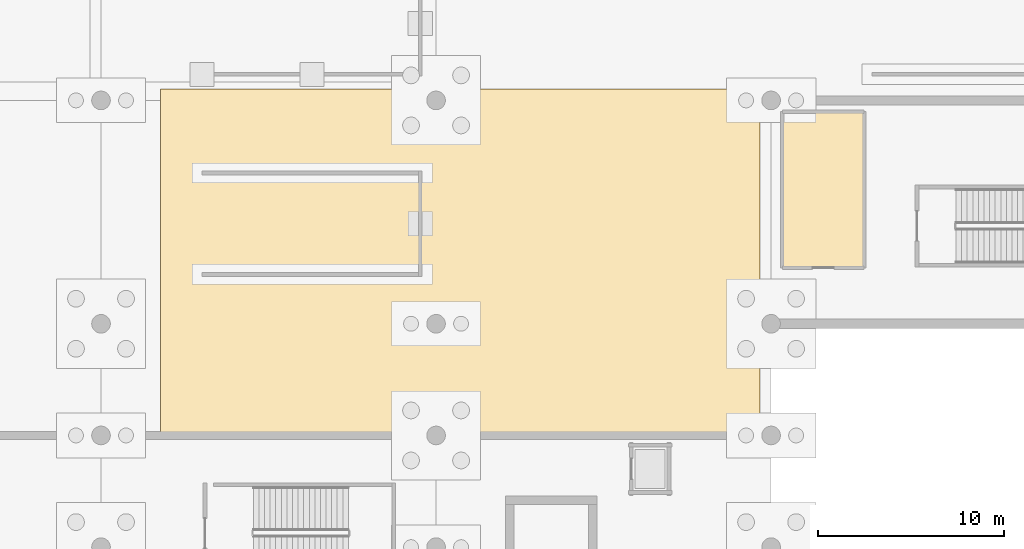
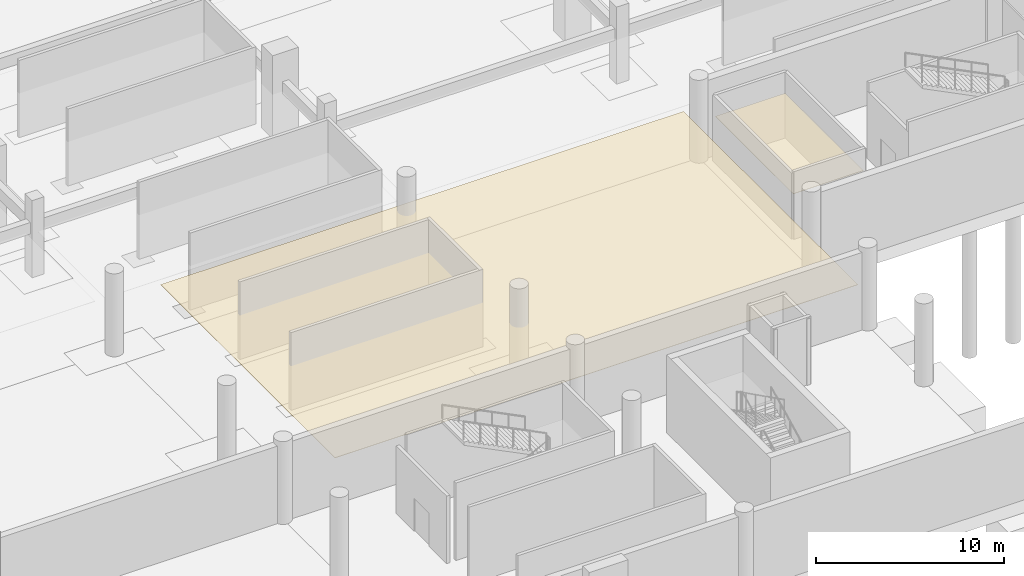
# One storey, part 19 of 26: 2 coverings.
"""IFC4 building model written with IfcOpenShell, lengths in metres."""

from ifc_helpers import new_model, si_unit, direction, frame, origin, place, context, subcontext, project, spatial, polyline, outline, extrude, material, layer, layer_set, type_object, element, save


model = new_model("IFC4")

# Units and contexts
model_context = context("Model", 3, precision=1e-05, world=origin(), true_north=direction((0.0, 1.0)))
body_context = subcontext(model_context, "Body", "Model", "MODEL_VIEW")
ifc_project = project(units=[si_unit("LENGTHUNIT", "METRE"), si_unit("AREAUNIT", "SQUARE_METRE"), si_unit("VOLUMEUNIT", "CUBIC_METRE"), si_unit("PLANEANGLEUNIT", "RADIAN"), si_unit("MASSUNIT", "GRAM", prefix="KILO")], contexts=[model_context])

# Site, building, storey
site_placement = place(None, origin())
site = spatial("IfcSite", under=ifc_project, at=site_placement, CompositionType="ELEMENT")
building_placement = place(site_placement, origin())
building = spatial("IfcBuilding", under=site, at=building_placement, Name="Chuanluo Vaults Station", CompositionType="ELEMENT")
storey_placement = place(building_placement, frame((0.0, 0.0, -5.39990234375)))
storey = spatial("IfcBuildingStorey", under=building, at=storey_placement, Name="B1", CompositionType="ELEMENT", Elevation=-5.39990234375)

# Coverings
ifc_material = material(Name="Acoustic mineral-fibre tile")
ifc_layer = layer(ifc_material, 0.02490234375)
ifc_layer_set = layer_set([ifc_layer], Name="Acoustic mineral-fibre tile")
covering_type = type_object("IfcCoveringType", Name="COV-CEIL-TILE", PredefinedType="CEILING", material=ifc_layer_set)
covering_1_placement = place(storey_placement, frame((0.0, 0.0, 2.849853515625)))
element("IfcCovering", 1, at=covering_1_placement, inside=storey, type_object=covering_type, Name="B1-00C suspended acoustic ceiling", PredefinedType="CEILING", context=body_context, shape_type="SweptSolid", body=[
    extrude(outline(polyline([(57.199951171875, 36.0), (89.39990234375, 36.0), (89.39990234375, 54.60009765625), (57.199951171875, 54.60009765625), (57.199951171875, 36.0)])), origin(), (0.0, 0.0, 1.0), 0.025146484375),
])
covering_2_placement = place(storey_placement, frame((0.0, 0.0, 2.849853515625)))
element("IfcCovering", 2, at=covering_2_placement, inside=storey, type_object=covering_type, Name="B1-04B suspended acoustic ceiling", PredefinedType="CEILING", context=body_context, shape_type="SweptSolid", body=[
    extrude(outline(polyline([(90.639892578125, 45.0400390625), (94.9599609375, 45.0400390625), (94.9599609375, 53.360107421875), (90.639892578125, 53.360107421875), (90.639892578125, 45.0400390625)])), origin(), (0.0, 0.0, 1.0), 0.025146484375),
])

save(model, "model.ifc")
